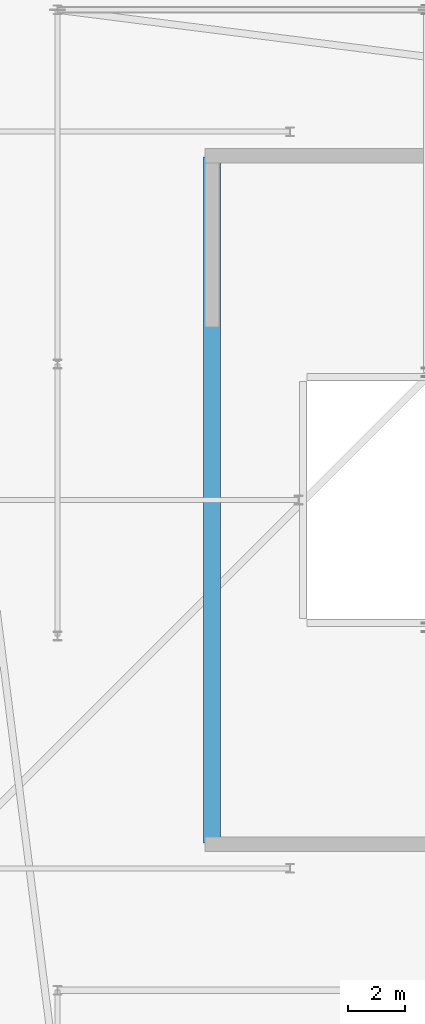
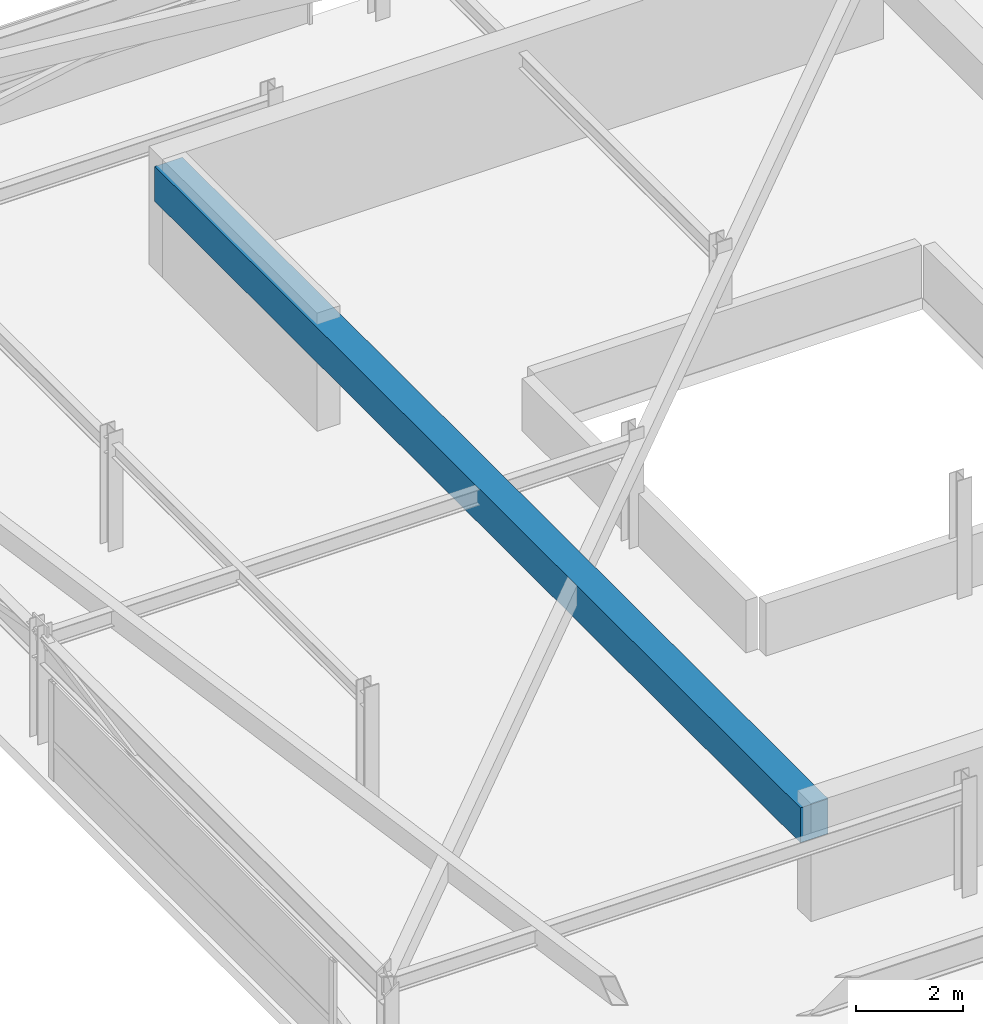
# One storey, part 15 of 44: 1 beam.
"""IFC4 building model written with IfcOpenShell, lengths in metres."""

import ifcopenshell
import ifcopenshell.guid

model = None  # the IFC model being written
_history = None  # IfcOwnerHistory: only IFC2X3 demands one
_inside = {}  # id of a spatial element -> (the spatial element, [elements in it])
_under = {}  # id of a project, library or spatial element -> (it, [spatial elements below it])
_declared = {}  # id of a project -> (the project, [libraries it declares])
_typed = {}  # id of a type object -> (the type object, [elements of that type])
_made_of = {}  # id of a material, layer set ... -> (it, [elements and type objects made of it])


def new_model(schema):
    """Start an empty IFC model of exactly this schema.

    Asked for "IFC4X3", IfcOpenShell would pick the latest addendum, in which some entities
    have other attributes; the version numbers below select the first issue.
    IFC2X3 requires an IfcOwnerHistory on every rooted entity: one is made here for all.
    """
    global model, _history
    if schema == "IFC4X3":
        model = ifcopenshell.file(schema_version=(4, 3, 0, 0))
    else:
        model = ifcopenshell.file(schema=schema)
    _inside.clear()
    _under.clear()
    _declared.clear()
    _typed.clear()
    _made_of.clear()
    _history = None
    if model.schema == "IFC2X3":
        org = make("IfcOrganization", Name="unknown")
        user = make(
            "IfcPersonAndOrganization",
            ThePerson=make("IfcPerson", FamilyName="unknown"),
            TheOrganization=org,
        )
        app = make(
            "IfcApplication",
            ApplicationDeveloper=org,
            Version="unknown",
            ApplicationFullName="unknown",
            ApplicationIdentifier="unknown",
        )
        _history = make(
            "IfcOwnerHistory",
            OwningUser=user,
            OwningApplication=app,
            ChangeAction="ADDED",
            CreationDate=0,
        )
    return model


def make(cls, **values):
    """One entity of the class cls with the attributes given. An attribute that is None is left unset."""
    return model.create_entity(
        cls, **{name: value for name, value in values.items() if value is not None}
    )


def rooted(cls, **values):
    """An entity with a GlobalId (a new one), such as an element, a storey or a relation."""
    return make(cls, GlobalId=ifcopenshell.guid.new(), OwnerHistory=_history, **values)


def si_unit(unit_type, name, prefix=None):
    """IfcSIUnit, for example si_unit("LENGTHUNIT", "METRE", prefix="MILLI")."""
    return make("IfcSIUnit", UnitType=unit_type, Prefix=prefix, Name=name)


def assignment(units):
    """IfcUnitAssignment: the units of a project."""
    return None if units is None else make("IfcUnitAssignment", Units=units)


def point(xyz):
    """IfcCartesianPoint."""
    return None if xyz is None else make("IfcCartesianPoint", Coordinates=xyz)


def direction(xyz):
    """IfcDirection."""
    return None if xyz is None else make("IfcDirection", DirectionRatios=xyz)


def frame(location, z_axis=None, x_axis=None):
    """IfcAxis2Placement3D, a coordinate frame: its origin and axes. An axis left out is left unset."""
    return make(
        "IfcAxis2Placement3D",
        Location=point(location),
        Axis=direction(z_axis),
        RefDirection=direction(x_axis),
    )


def frame_2d(location, x_axis=None):
    """IfcAxis2Placement2D, a coordinate frame in the plane: its origin and x axis."""
    return make(
        "IfcAxis2Placement2D", Location=point(location), RefDirection=direction(x_axis)
    )


def origin():
    """The frame at (0, 0, 0) with its axes left unset."""
    return frame((0.0, 0.0, 0.0))


def origin_2d():
    """The frame at (0, 0) in the plane with its x axis left unset."""
    return frame_2d((0.0, 0.0))


def place(relative_to, where):
    """IfcLocalPlacement: puts the frame where relative to a parent placement (None: the world)."""
    return make(
        "IfcLocalPlacement", PlacementRelTo=relative_to, RelativePlacement=where
    )


def context(
    kind, dimensions, precision=None, world=None, true_north=None, identifier=None
):
    """IfcGeometricRepresentationContext, for example the 3D "Model" context."""
    return make(
        "IfcGeometricRepresentationContext",
        ContextIdentifier=identifier,
        ContextType=kind,
        CoordinateSpaceDimension=dimensions,
        Precision=precision,
        WorldCoordinateSystem=world,
        TrueNorth=true_north,
    )


def subcontext(parent, identifier, kind, view, scale=None):
    """IfcGeometricRepresentationSubContext, for example "Body" below "Model"."""
    return make(
        "IfcGeometricRepresentationSubContext",
        ContextIdentifier=identifier,
        ContextType=kind,
        ParentContext=parent,
        TargetScale=scale,
        TargetView=view,
    )


def project(units=None, contexts=None):
    """IfcProject with its units and contexts."""
    return rooted(
        "IfcProject",
        Name="project",
        RepresentationContexts=contexts,
        UnitsInContext=assignment(units),
    )


def spatial(cls, under=None, at=None, **own):
    """A site, building, storey or space (cls), placed at a placement, below another one or the project."""
    s = rooted(cls, ObjectPlacement=at, **own)
    if under is not None:
        _under.setdefault(under.id(), (under, []))[1].append(s)
    return s


def profile(cls, at=None, kind="AREA", **sizes):
    """A parametric profile (cls). Its sizes go by their IFC names, for example OverallWidth=200.0."""
    return make(cls, ProfileType=kind, Position=at, **sizes)


def rectangle(**sizes):
    """IfcRectangleProfileDef."""
    return profile("IfcRectangleProfileDef", **sizes)


def extrude(swept, where, along, depth):
    """IfcExtrudedAreaSolid: the profile swept, set in the frame where, extruded along a direction by depth."""
    return make(
        "IfcExtrudedAreaSolid",
        SweptArea=swept,
        Position=where,
        ExtrudedDirection=direction(along),
        Depth=depth,
    )


def shape(context_of_items, identifier, shape_type, items):
    """IfcShapeRepresentation: the items that make up one representation, for example the "Body"."""
    return make(
        "IfcShapeRepresentation",
        ContextOfItems=context_of_items,
        RepresentationIdentifier=identifier,
        RepresentationType=shape_type,
        Items=items,
    )


def material(Name=None, Category=None):
    """IfcMaterial."""
    return make("IfcMaterial", Name=Name, Category=Category)


def material_profile(
    of_material, cross_section, Name=None, Category=None, Priority=None
):
    """IfcMaterialProfile: a cross section and its material."""
    return make(
        "IfcMaterialProfile",
        Name=Name,
        Material=of_material,
        Profile=cross_section,
        Priority=Priority,
        Category=Category,
    )


def profile_set(profiles, Name=None, composite=None):
    """IfcMaterialProfileSet."""
    return make(
        "IfcMaterialProfileSet",
        Name=Name,
        MaterialProfiles=profiles,
        CompositeProfile=composite,
    )


def made_of(thing, what):
    """Note that an element or type object is made of a material, layer set ...; save() writes the relation."""
    if what is not None:
        _made_of.setdefault(what.id(), (what, []))[1].append(thing)
    return thing


def type_object(cls, material=None, **own):
    """A type object (cls), such as IfcWallType, which elements share."""
    return made_of(rooted(cls, **own), material)


def element(
    cls,
    number,
    at=None,
    inside=None,
    cuts=None,
    type_object=None,
    material=None,
    context=None,
    identifier="Body",
    shape_type=None,
    held_by="IfcProductDefinitionShape",
    body=None,
    shapes=None,
    **own,
):
    """One element of the class cls, such as IfcWall. Its Tag is "e" and its number.

    at: its placement. inside: the storey or other place that contains it. cuts: it is an
    opening in that element (IfcRelVoidsElement). A single representation is given by context,
    identifier, shape_type and body (its items); several are given by shapes. held_by: the class
    of the entity that holds the representations. save() writes the other relations.
    """
    e = rooted(cls, Tag="e%d" % number, ObjectPlacement=at, **own)
    if body is not None:
        shapes = [shape(context, identifier, shape_type, body)]
    if shapes is not None:
        e.Representation = make(held_by, Representations=shapes)
    if inside is not None:
        _inside.setdefault(inside.id(), (inside, []))[1].append(e)
    if cuts is not None:
        rooted(
            "IfcRelVoidsElement", RelatingBuildingElement=cuts, RelatedOpeningElement=e
        )
    if type_object is not None:
        _typed.setdefault(type_object.id(), (type_object, []))[1].append(e)
    return made_of(e, material)


def aggregate(whole, parts):
    """IfcRelAggregates: a whole, such as a stair, and the parts it consists of."""
    return rooted("IfcRelAggregates", RelatingObject=whole, RelatedObjects=parts)


def save(model, path):
    """Write the relations noted so far, then the file.

    IfcRelAggregates (storeys below a building ...), IfcRelContainedInSpatialStructure (elements
    in a storey), IfcRelDefinesByType, IfcRelAssociatesMaterial and IfcRelDeclares: one each for
    every whole, place, type object, material and project.
    """
    for whole, parts in _under.values():
        aggregate(whole, parts)
    for where, things in _inside.values():
        rooted(
            "IfcRelContainedInSpatialStructure",
            RelatedElements=things,
            RelatingStructure=where,
        )
    for kind, things in _typed.values():
        rooted("IfcRelDefinesByType", RelatedObjects=things, RelatingType=kind)
    for what, things in _made_of.values():
        rooted("IfcRelAssociatesMaterial", RelatedObjects=things, RelatingMaterial=what)
    for by, libraries in _declared.values():
        rooted("IfcRelDeclares", RelatingContext=by, RelatedDefinitions=libraries)
    model.write(path)


model = new_model("IFC4")

# Units and contexts
model_context = context("Model", 3, precision=1e-05, world=origin(), true_north=direction((0.0, 1.0)))
body_context = subcontext(model_context, "Body", "Model", "MODEL_VIEW")
ifc_project = project(units=[si_unit("LENGTHUNIT", "METRE"), si_unit("AREAUNIT", "SQUARE_METRE"), si_unit("VOLUMEUNIT", "CUBIC_METRE"), si_unit("PLANEANGLEUNIT", "RADIAN"), si_unit("MASSUNIT", "GRAM", prefix="KILO")], contexts=[model_context])

# Site, building, storey
site_placement = place(None, origin())
site = spatial("IfcSite", under=ifc_project, at=site_placement, CompositionType="ELEMENT")
building_placement = place(site_placement, origin())
building = spatial("IfcBuilding", under=site, at=building_placement, Name="Thornwick Lancets Civic Towers", CompositionType="ELEMENT")
storey_placement = place(building_placement, frame((0.0, 0.0, 294.89990234375)))
storey = spatial("IfcBuildingStorey", under=building, at=storey_placement, Name="C06", CompositionType="ELEMENT", Elevation=294.89990234375)

# Beam
ifc_material = material(Name="Concrete C60/75", Category="concrete")
ifc_material_profile = material_profile(ifc_material, rectangle(XDim=0.60009765625, YDim=0.800048828125, at=origin_2d()), Name="RC 600x800")
ifc_profile_set = profile_set([ifc_material_profile], Name="Concrete C60/75")
beam_type = type_object("IfcBeamType", Name="BM_COUP_RC800", PredefinedType="BEAM", material=ifc_profile_set)
beam_placement = place(storey_placement, frame((17.949951171875, 14.89990234375, 2.0400390625), z_axis=(0.0, 1.0, 0.0), x_axis=(-1.0, 0.0, 0.0)))
element("IfcBeam", 1, at=beam_placement, inside=storey, type_object=beam_type, Name="CB-C06-A2", PredefinedType="BEAM", context=body_context, shape_type="SweptSolid", body=[
    extrude(rectangle(XDim=0.60009765625, YDim=0.800048828125, at=origin_2d()), origin(), (0.0, 0.0, 1.0), 24.2001953125),
])

save(model, "model.ifc")
